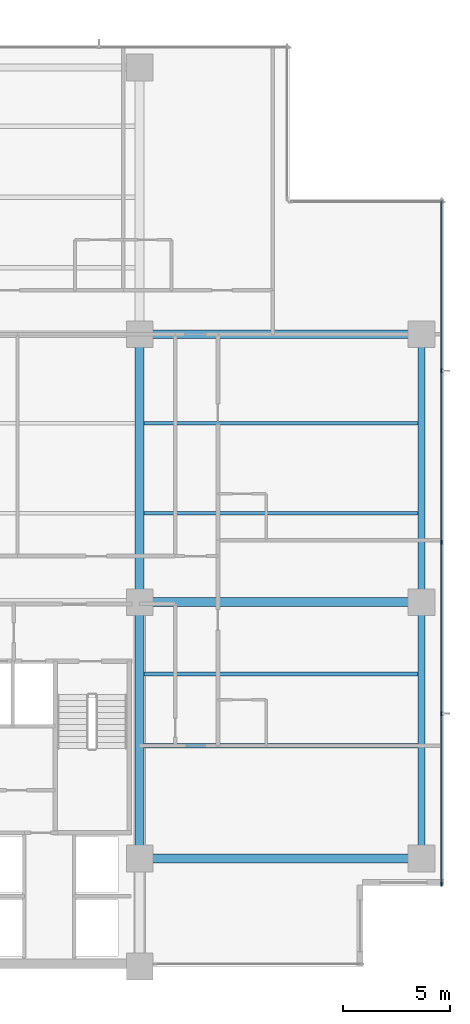
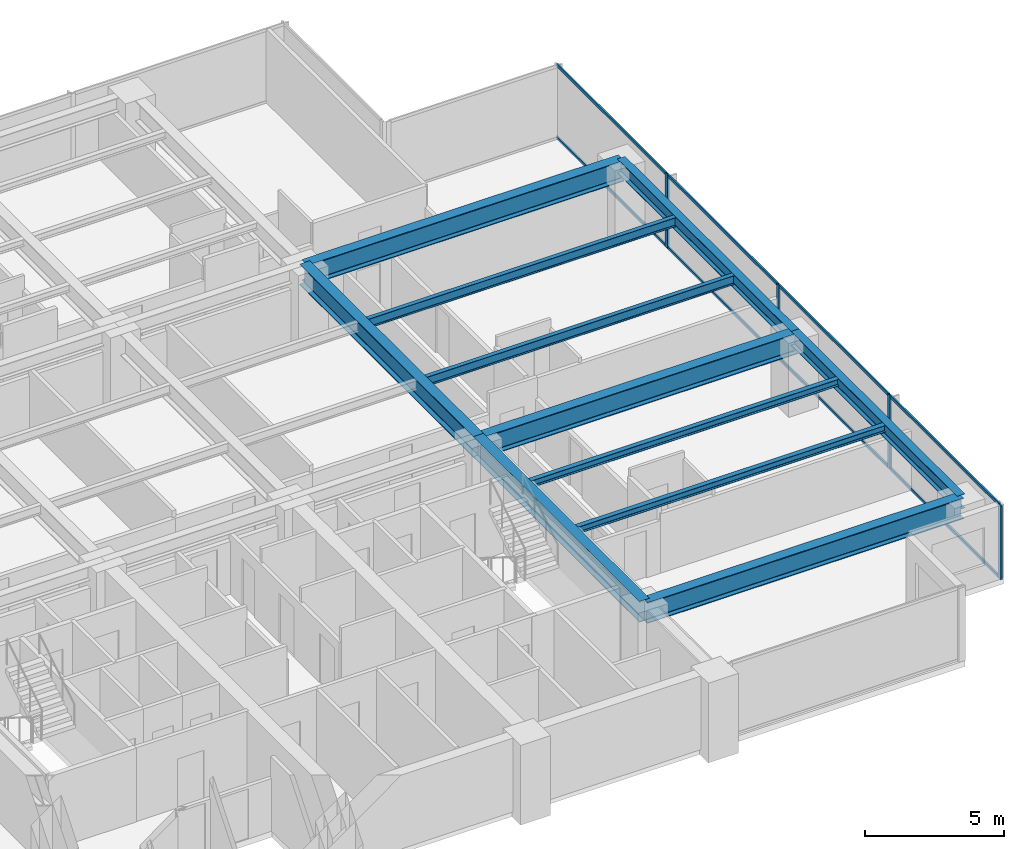
# One storey, part 4 of 18: 12 members, 11 beams, 1 element without a shape of its own.
"""IFC4 building model written with IfcOpenShell, lengths in metres."""

from ifc_helpers import new_model, si_unit, direction, frame, origin, origin_2d, place, context, subcontext, project, spatial, rectangle, i_section, extrude, material, layer, layer_set, material_profile, profile_set, type_object, element, aggregate, save


model = new_model("IFC4")

# Units and contexts
model_context = context("Model", 3, precision=1e-05, world=origin(), true_north=direction((0.0, 1.0)))
body_context = subcontext(model_context, "Body", "Model", "MODEL_VIEW")
ifc_project = project(units=[si_unit("LENGTHUNIT", "METRE"), si_unit("AREAUNIT", "SQUARE_METRE"), si_unit("VOLUMEUNIT", "CUBIC_METRE"), si_unit("PLANEANGLEUNIT", "RADIAN"), si_unit("MASSUNIT", "GRAM", prefix="KILO")], contexts=[model_context])

# Site, building, storey
site_placement = place(None, origin())
site = spatial("IfcSite", under=ifc_project, at=site_placement, CompositionType="ELEMENT")
building_placement = place(site_placement, origin())
building = spatial("IfcBuilding", under=site, at=building_placement, Name="Qalmaran Belvedere Hotel", CompositionType="ELEMENT")
storey_placement = place(building_placement, frame((0.0, 0.0, 95.199951171875)))
storey = spatial("IfcBuildingStorey", under=building, at=storey_placement, Name="L23", CompositionType="ELEMENT", Elevation=95.199951171875)

# Beams
ifc_material_1 = material(Name="Steel S355JR", Category="steel")
ifc_material_profile_1 = material_profile(ifc_material_1, i_section(OverallWidth=0.202880859375, OverallDepth=0.302978515625, WebThickness=0.007568359375, FlangeThickness=0.01318359375, FilletRadius=0.012939453125, at=origin_2d()), Name="W310X60")
ifc_profile_set_1 = profile_set([ifc_material_profile_1], Name="Steel S355JR")
beam_type_1 = type_object("IfcBeamType", Name="BM-JST-W310X60", PredefinedType="JOIST", material=ifc_profile_set_1)
for number, where, z_axis, x_axis, name in (
    (1, (45.007080078125, 13.800048828125, 3.088623046875), (1.0, 0.0, 0.0), (0.0, 1.0, 0.0), "L23 East Wing Joist 039"),
    (2, (45.007080078125, 17.14990234375, 3.088623046875), (1.0, 0.0, 0.0), (0.0, 1.0, 0.0), "L23 East Wing Joist 041"),
):
    element("IfcBeam", number, at=place(storey_placement, frame(where, z_axis=z_axis, x_axis=x_axis)), inside=storey, type_object=beam_type_1, Name=name, PredefinedType="JOIST", context=body_context, shape_type="SweptSolid", body=[
        extrude(i_section(OverallWidth=0.202880859375, OverallDepth=0.302978515625, WebThickness=0.007568359375, FlangeThickness=0.01318359375, FilletRadius=0.012939453125, at=origin_2d()), origin(), (0.0, 0.0, 1.0), 12.781494140625),
    ])
ifc_material_profile_2 = material_profile(ifc_material_1, i_section(OverallWidth=0.41796875, OverallDepth=0.912109375, WebThickness=0.019287109375, FlangeThickness=0.031982421875, FilletRadius=0.02392578125, at=origin_2d()), Name="W920X342")
ifc_profile_set_2 = profile_set([ifc_material_profile_2], Name="Steel S355JR")
beam_type_2 = type_object("IfcBeamType", Name="BM-PG2-W920X342", PredefinedType="USERDEFINED", material=ifc_profile_set_2)
beam_1_placement = place(storey_placement, frame((44.800048828125, 20.5, 2.783935546875), z_axis=(0.0, 1.0, 0.0), x_axis=(-1.0, 0.0, 0.0)))
element("IfcBeam", 3, at=beam_1_placement, inside=storey, type_object=beam_type_2, Name="L23 Mid-Plate N-S Girder 20", ObjectType="GIRDER", PredefinedType="USERDEFINED", context=body_context, shape_type="SweptSolid", body=[
    extrude(i_section(OverallWidth=0.41796875, OverallDepth=0.912109375, WebThickness=0.019287109375, FlangeThickness=0.031982421875, FilletRadius=0.02392578125, at=origin_2d()), origin(), (0.0, 0.0, 1.0), 12.5),
])
beam_2_placement = place(storey_placement, frame((44.800048828125, 8.550048828125, 2.783935546875), z_axis=(0.0, 1.0, 0.0), x_axis=(-1.0, 0.0, 0.0)))
element("IfcBeam", 4, at=beam_2_placement, inside=storey, type_object=beam_type_2, Name="L23 East Core Edge Girder B", ObjectType="GIRDER", PredefinedType="USERDEFINED", context=body_context, shape_type="SweptSolid", body=[
    extrude(i_section(OverallWidth=0.41796875, OverallDepth=0.912109375, WebThickness=0.019287109375, FlangeThickness=0.031982421875, FilletRadius=0.02392578125, at=origin_2d()), origin(), (0.0, 0.0, 1.0), 11.949951171875),
])
for number, where, z_axis, x_axis, name in (
    (5, (44.800048828125, 8.550048828125, 2.783935546875), (1.0, 0.0, 0.0), (0.0, 1.0, 0.0), "L23 East Wing Girder 25"),
    (6, (44.800048828125, 20.5, 2.783935546875), (1.0, 0.0, 0.0), (0.0, 1.0, 0.0), "L23 East Wing Girder 26"),
    (7, (44.800048828125, 33.0, 2.783935546875), (1.0, 0.0, 0.0), (0.0, 1.0, 0.0), "L23 East Wing Girder 27"),
):
    element("IfcBeam", number, at=place(storey_placement, frame(where, z_axis=z_axis, x_axis=x_axis)), inside=storey, type_object=beam_type_2, Name=name, ObjectType="GIRDER", PredefinedType="USERDEFINED", context=body_context, shape_type="SweptSolid", body=[
        extrude(i_section(OverallWidth=0.41796875, OverallDepth=0.912109375, WebThickness=0.019287109375, FlangeThickness=0.031982421875, FilletRadius=0.02392578125, at=origin_2d()), origin(), (0.0, 0.0, 1.0), 13.14990234375),
    ])
ifc_material_profile_3 = material_profile(ifc_material_1, i_section(OverallWidth=0.177978515625, OverallDepth=0.406982421875, WebThickness=0.0078125, FlangeThickness=0.0126953125, FilletRadius=0.014892578125, at=origin_2d()), Name="W410X60")
ifc_profile_set_3 = profile_set([ifc_material_profile_3], Name="Steel S355JR")
beam_type_3 = type_object("IfcBeamType", Name="BM-SB2-W410X60", PredefinedType="BEAM", material=ifc_profile_set_3)
for number, where, z_axis, x_axis, name in (
    (8, (45.007080078125, 24.64990234375, 3.03662109375), (1.0, 0.0, 0.0), (0.0, 1.0, 0.0), "L23 East Secondary Beam 032"),
    (9, (45.007080078125, 28.85009765625, 3.03662109375), (1.0, 0.0, 0.0), (0.0, 1.0, 0.0), "L23 East Secondary Beam 037"),
):
    element("IfcBeam", number, at=place(storey_placement, frame(where, z_axis=z_axis, x_axis=x_axis)), inside=storey, type_object=beam_type_3, Name=name, PredefinedType="BEAM", context=body_context, shape_type="SweptSolid", body=[
        extrude(i_section(OverallWidth=0.177978515625, OverallDepth=0.406982421875, WebThickness=0.0078125, FlangeThickness=0.0126953125, FilletRadius=0.014892578125, at=origin_2d()), origin(), (0.0, 0.0, 1.0), 12.781494140625),
    ])
ifc_material_profile_4 = material_profile(ifc_material_1, i_section(OverallWidth=0.326904296875, OverallDepth=0.6220703125, WebThickness=0.015380859375, FlangeThickness=0.0244140625, FilletRadius=0.02001953125, at=origin_2d()), Name="W610X195")
ifc_profile_set_4 = profile_set([ifc_material_profile_4], Name="Steel S355JR")
beam_type_4 = type_object("IfcBeamType", Name="BM-SP1-W610X195", PredefinedType="SPANDREL", material=ifc_profile_set_4)
beam_3_placement = place(storey_placement, frame((57.949951171875, 8.550048828125, 2.928955078125), z_axis=(0.0, 1.0, 0.0), x_axis=(-1.0, 0.0, 0.0)))
element("IfcBeam", 10, at=beam_3_placement, inside=storey, type_object=beam_type_4, Name="L23 Perimeter Spandrel 03", PredefinedType="SPANDREL", context=body_context, shape_type="SweptSolid", body=[
    extrude(i_section(OverallWidth=0.326904296875, OverallDepth=0.6220703125, WebThickness=0.015380859375, FlangeThickness=0.0244140625, FilletRadius=0.02001953125, at=origin_2d()), origin(), (0.0, 0.0, 1.0), 11.949951171875),
])
beam_4_placement = place(storey_placement, frame((57.949951171875, 20.5, 2.928955078125), z_axis=(0.0, 1.0, 0.0), x_axis=(-1.0, 0.0, 0.0)))
element("IfcBeam", 11, at=beam_4_placement, inside=storey, type_object=beam_type_4, Name="L23 Perimeter Spandrel 04", PredefinedType="SPANDREL", context=body_context, shape_type="SweptSolid", body=[
    extrude(i_section(OverallWidth=0.326904296875, OverallDepth=0.6220703125, WebThickness=0.015380859375, FlangeThickness=0.0244140625, FilletRadius=0.02001953125, at=origin_2d()), origin(), (0.0, 0.0, 1.0), 12.5),
])

# Curtain wall, members
ifc_material_2 = material(Name="Anodised Bronze Aluminium", Category="aluminium")
ifc_layer = layer(ifc_material_2, 0.199951171875, Name="Anodised Bronze Aluminium")
ifc_layer_set = layer_set([ifc_layer], Name="Anodised Bronze Aluminium")
curtain_wall_type = type_object("IfcCurtainWallType", Name="CW3-TOWER-LOWMID", PredefinedType="NOTDEFINED", material=ifc_layer_set)
curtain_wall_placement = place(storey_placement, origin())
curtain_wall = element("IfcCurtainWall", 12, at=curtain_wall_placement, inside=storey, type_object=curtain_wall_type, Name="L23 Curtain Wall CW3", PredefinedType="NOTDEFINED")
ifc_material_profile_5 = material_profile(ifc_material_2, rectangle(XDim=0.070068359375, YDim=0.18994140625, at=origin_2d()), Name="CWM70X190")
ifc_profile_set_5 = profile_set([ifc_material_profile_5], Name="Anodised Bronze Aluminium")
member_type_1 = type_object("IfcMemberType", Name="CWM-70X190", PredefinedType="MULLION", material=ifc_profile_set_5)
member_1_placement = place(storey_placement, frame((58.8798828125, 7.3349609375, 0.0), z_axis=(0.0, 0.0, 1.0), x_axis=(-1.0, 0.0, 0.0)))
member_1 = element("IfcMember", 13, at=member_1_placement, type_object=member_type_1, Name="CW3 mullion 1", PredefinedType="MULLION", context=body_context, shape_type="SweptSolid", body=[
    extrude(rectangle(XDim=0.070068359375, YDim=0.18994140625, at=origin_2d()), origin(), (0.0, 0.0, 1.0), 3.239990234375),
])
member_2_placement = place(storey_placement, frame((58.8798828125, 15.300048828125, 0.0), z_axis=(0.0, 0.0, 1.0), x_axis=(-1.0, 0.0, 0.0)))
member_2 = element("IfcMember", 14, at=member_2_placement, type_object=member_type_1, Name="CW3 mullion 2", PredefinedType="MULLION", context=body_context, shape_type="SweptSolid", body=[
    extrude(rectangle(XDim=0.070068359375, YDim=0.18994140625, at=origin_2d()), origin(), (0.0, 0.0, 1.0), 3.239990234375),
])
member_3_placement = place(storey_placement, frame((58.8798828125, 23.300048828125, 0.0), z_axis=(0.0, 0.0, 1.0), x_axis=(-1.0, 0.0, 0.0)))
member_3 = element("IfcMember", 15, at=member_3_placement, type_object=member_type_1, Name="CW3 mullion 3", PredefinedType="MULLION", context=body_context, shape_type="SweptSolid", body=[
    extrude(rectangle(XDim=0.070068359375, YDim=0.18994140625, at=origin_2d()), origin(), (0.0, 0.0, 1.0), 3.239990234375),
])
member_4_placement = place(storey_placement, frame((58.8798828125, 31.300048828125, 0.0), z_axis=(0.0, 0.0, 1.0), x_axis=(-1.0, 0.0, 0.0)))
member_4 = element("IfcMember", 16, at=member_4_placement, type_object=member_type_1, Name="CW3 mullion 4", PredefinedType="MULLION", context=body_context, shape_type="SweptSolid", body=[
    extrude(rectangle(XDim=0.070068359375, YDim=0.18994140625, at=origin_2d()), origin(), (0.0, 0.0, 1.0), 3.239990234375),
])
ifc_material_profile_6 = material_profile(ifc_material_2, rectangle(XDim=0.06494140625, YDim=0.1298828125, at=origin_2d()), Name="CWT65X130")
ifc_profile_set_6 = profile_set([ifc_material_profile_6], Name="Anodised Bronze Aluminium")
member_type_2 = type_object("IfcMemberType", Name="CWT-65X130", PredefinedType="USERDEFINED", material=ifc_profile_set_6)
member_5_placement = place(storey_placement, frame((58.8798828125, 7.3701171875, 0.032470703125), z_axis=(0.0, 1.0, 0.0), x_axis=(-1.0, 0.0, 0.0)))
member_5 = element("IfcMember", 17, at=member_5_placement, type_object=member_type_2, Name="CW3 transom 1.1", ObjectType="TRANSOM", PredefinedType="USERDEFINED", context=body_context, shape_type="SweptSolid", body=[
    extrude(rectangle(XDim=0.06494140625, YDim=0.1298828125, at=origin_2d()), origin(), (0.0, 0.0, 1.0), 7.894775390625),
])
member_6_placement = place(storey_placement, frame((58.8798828125, 7.3701171875, 3.20751953125), z_axis=(0.0, 1.0, 0.0), x_axis=(-1.0, 0.0, 0.0)))
member_6 = element("IfcMember", 18, at=member_6_placement, type_object=member_type_2, Name="CW3 transom 1.2", ObjectType="TRANSOM", PredefinedType="USERDEFINED", context=body_context, shape_type="SweptSolid", body=[
    extrude(rectangle(XDim=0.06494140625, YDim=0.1298828125, at=origin_2d()), origin(), (0.0, 0.0, 1.0), 7.894775390625),
])
member_7_placement = place(storey_placement, frame((58.8798828125, 15.3349609375, 0.032470703125), z_axis=(0.0, 1.0, 0.0), x_axis=(-1.0, 0.0, 0.0)))
member_7 = element("IfcMember", 19, at=member_7_placement, type_object=member_type_2, Name="CW3 transom 2.1", ObjectType="TRANSOM", PredefinedType="USERDEFINED", context=body_context, shape_type="SweptSolid", body=[
    extrude(rectangle(XDim=0.06494140625, YDim=0.1298828125, at=origin_2d()), origin(), (0.0, 0.0, 1.0), 7.929931640625),
])
member_8_placement = place(storey_placement, frame((58.8798828125, 15.3349609375, 3.20751953125), z_axis=(0.0, 1.0, 0.0), x_axis=(-1.0, 0.0, 0.0)))
member_8 = element("IfcMember", 20, at=member_8_placement, type_object=member_type_2, Name="CW3 transom 2.2", ObjectType="TRANSOM", PredefinedType="USERDEFINED", context=body_context, shape_type="SweptSolid", body=[
    extrude(rectangle(XDim=0.06494140625, YDim=0.1298828125, at=origin_2d()), origin(), (0.0, 0.0, 1.0), 7.929931640625),
])
member_9_placement = place(storey_placement, frame((58.8798828125, 23.3349609375, 0.032470703125), z_axis=(0.0, 1.0, 0.0), x_axis=(-1.0, 0.0, 0.0)))
member_9 = element("IfcMember", 21, at=member_9_placement, type_object=member_type_2, Name="CW3 transom 3.1", ObjectType="TRANSOM", PredefinedType="USERDEFINED", context=body_context, shape_type="SweptSolid", body=[
    extrude(rectangle(XDim=0.06494140625, YDim=0.1298828125, at=origin_2d()), origin(), (0.0, 0.0, 1.0), 7.929931640625),
])
member_10_placement = place(storey_placement, frame((58.8798828125, 23.3349609375, 3.20751953125), z_axis=(0.0, 1.0, 0.0), x_axis=(-1.0, 0.0, 0.0)))
member_10 = element("IfcMember", 22, at=member_10_placement, type_object=member_type_2, Name="CW3 transom 3.2", ObjectType="TRANSOM", PredefinedType="USERDEFINED", context=body_context, shape_type="SweptSolid", body=[
    extrude(rectangle(XDim=0.06494140625, YDim=0.1298828125, at=origin_2d()), origin(), (0.0, 0.0, 1.0), 7.929931640625),
])
member_11_placement = place(storey_placement, frame((58.8798828125, 31.3349609375, 0.032470703125), z_axis=(0.0, 1.0, 0.0), x_axis=(-1.0, 0.0, 0.0)))
member_11 = element("IfcMember", 23, at=member_11_placement, type_object=member_type_2, Name="CW3 transom 4.1", ObjectType="TRANSOM", PredefinedType="USERDEFINED", context=body_context, shape_type="SweptSolid", body=[
    extrude(rectangle(XDim=0.06494140625, YDim=0.1298828125, at=origin_2d()), origin(), (0.0, 0.0, 1.0), 7.89501953125),
])
member_12_placement = place(storey_placement, frame((58.8798828125, 31.3349609375, 3.20751953125), z_axis=(0.0, 1.0, 0.0), x_axis=(-1.0, 0.0, 0.0)))
member_12 = element("IfcMember", 24, at=member_12_placement, type_object=member_type_2, Name="CW3 transom 4.2", ObjectType="TRANSOM", PredefinedType="USERDEFINED", context=body_context, shape_type="SweptSolid", body=[
    extrude(rectangle(XDim=0.06494140625, YDim=0.1298828125, at=origin_2d()), origin(), (0.0, 0.0, 1.0), 7.89501953125),
])
aggregate(curtain_wall, [member_1, member_2, member_3, member_4, member_5, member_6, member_7, member_8, member_9, member_10, member_11, member_12])

save(model, "model.ifc")
